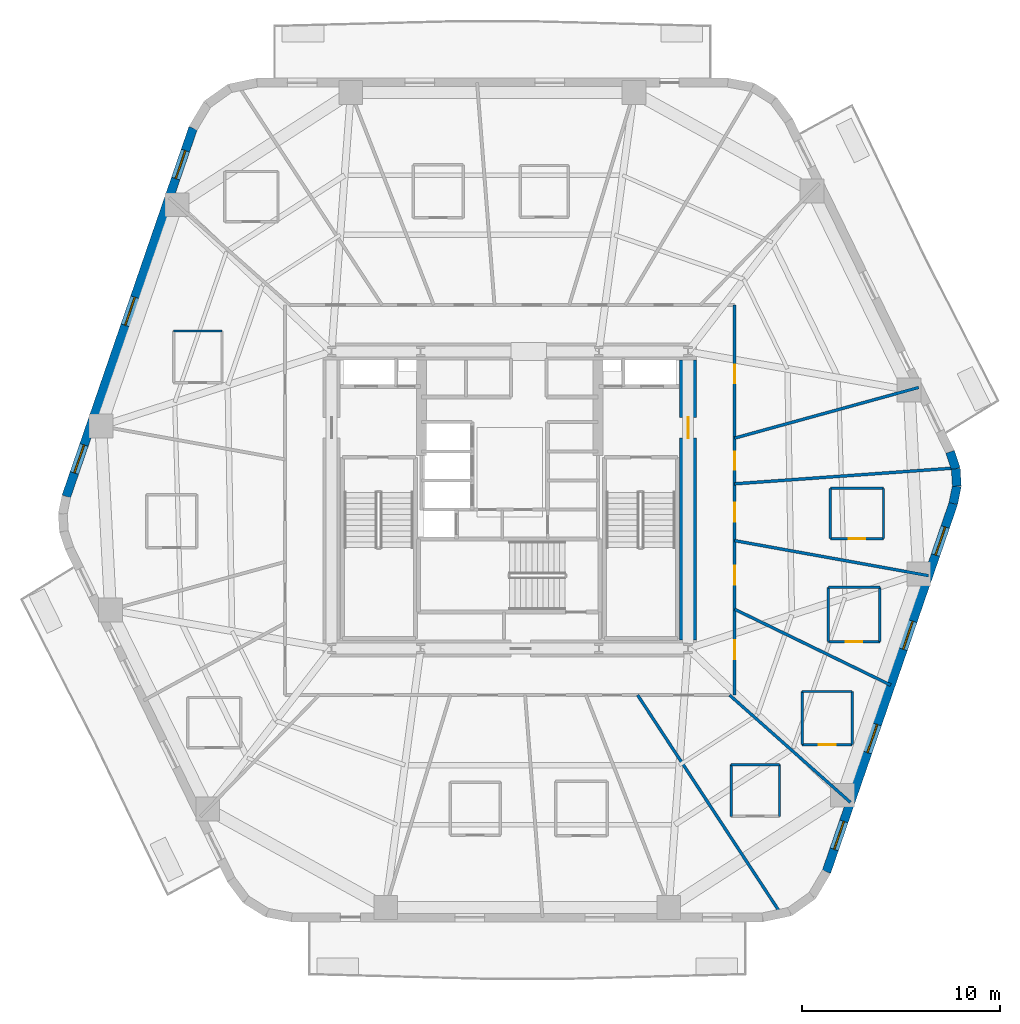
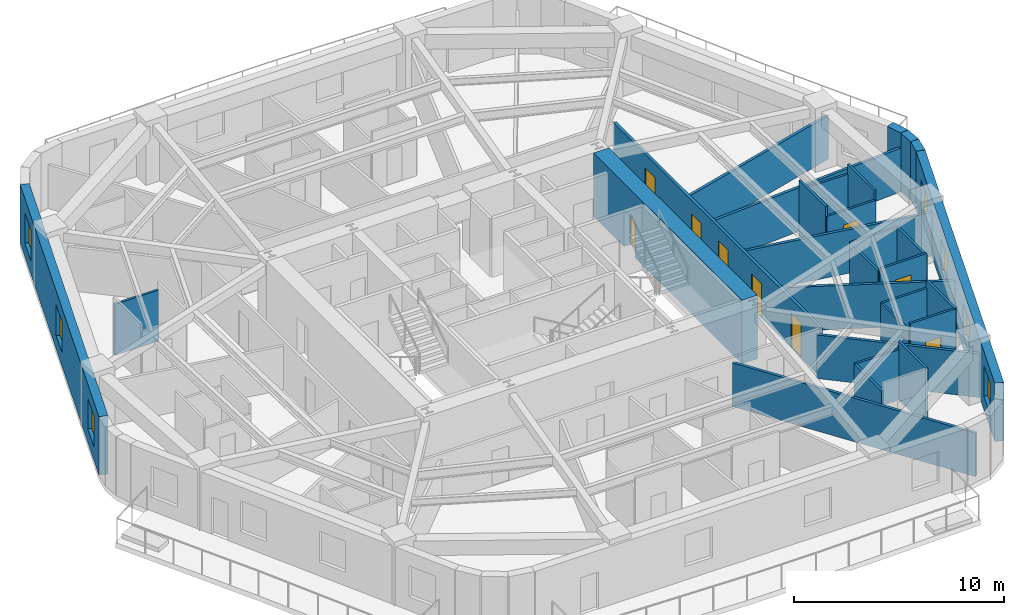
# One storey, part 5 of 10: 29 walls, 9 doors, 7 windows, 16 openings.
"""IFC4 building model written with IfcOpenShell, lengths in metres."""

from ifc_helpers import new_model, si_unit, direction, frame, frame_2d, origin, place, context, subcontext, project, spatial, rectangle, extrude, material, layer, layer_set, type_object, element, fill, save


model = new_model("IFC4")

# Units and contexts
model_context = context("Model", 3, precision=1e-05, world=origin(), true_north=direction((0.0, 1.0)))
body_context = subcontext(model_context, "Body", "Model", "MODEL_VIEW")
ifc_project = project(units=[si_unit("LENGTHUNIT", "METRE"), si_unit("AREAUNIT", "SQUARE_METRE"), si_unit("VOLUMEUNIT", "CUBIC_METRE"), si_unit("PLANEANGLEUNIT", "RADIAN"), si_unit("MASSUNIT", "GRAM", prefix="KILO")], contexts=[model_context])

# Site, building, storey
site_placement = place(None, origin())
site = spatial("IfcSite", under=ifc_project, at=site_placement, CompositionType="ELEMENT")
building_placement = place(site_placement, origin())
building = spatial("IfcBuilding", under=site, at=building_placement, Name="Kilnhurst Terrace Hotel", CompositionType="ELEMENT")
storey_placement = place(building_placement, frame((0.0, 0.0, 98.800048828125)))
storey = spatial("IfcBuildingStorey", under=building, at=storey_placement, Name="L23", CompositionType="ELEMENT", Elevation=98.800048828125)

# Walls
ifc_material_1 = material(Name="Precast concrete C40/50", Category="concrete")
ifc_layer_1 = layer(ifc_material_1, 0.449951171875, Name="Precast concrete C40/50")
ifc_layer_set_1 = layer_set([ifc_layer_1], Name="Precast concrete C40/50")
wall_type_1 = type_object("IfcWallType", Name="WL-BRK-450", PredefinedType="SOLIDWALL", material=ifc_layer_set_1)
wall_1_placement = place(storey_placement, frame((22.39697265625, -0.17919921875, 0.0), z_axis=(0.0, 0.0, 1.0), x_axis=(0.199313589404, 0.979935759669, 0.0)))
element("IfcWall", 1, at=wall_1_placement, inside=storey, type_object=wall_type_1, Name="L23 Rounded Corner Brick Wall C3.1", PredefinedType="SOLIDWALL", context=body_context, shape_type="SweptSolid", body=[
    extrude(rectangle(XDim=0.8955078125, YDim=0.449951171875, at=frame_2d((0.44775390625, 0.0))), origin(), (0.0, 0.0, 1.0), 3.39990234375),
])
wall_2_placement = place(storey_placement, frame((22.575439453125, 0.6982421875, 0.0), z_axis=(0.0, 0.0, 1.0), x_axis=(-0.060980441946, 0.998138961117, 0.0)))
element("IfcWall", 2, at=wall_2_placement, inside=storey, type_object=wall_type_1, Name="L23 Rounded Corner Brick Wall C3.2", PredefinedType="SOLIDWALL", context=body_context, shape_type="SweptSolid", body=[
    extrude(rectangle(XDim=0.880859375, YDim=0.449951171875, at=frame_2d((0.4404296875, 0.0))), origin(), (0.0, 0.0, 1.0), 3.39990234375),
])
wall_3_placement = place(storey_placement, frame((22.521728515625, 1.577392578125, 0.0), z_axis=(0.0, 0.0, 1.0), x_axis=(-0.317372694837, 0.948300887151, 0.0)))
element("IfcWall", 3, at=wall_3_placement, inside=storey, type_object=wall_type_1, Name="L23 Rounded Corner Brick Wall C3.3", PredefinedType="SOLIDWALL", context=body_context, shape_type="SweptSolid", body=[
    extrude(rectangle(XDim=0.8955078125, YDim=0.449951171875, at=frame_2d((0.44775390625, 0.0))), origin(), (0.0, 0.0, 1.0), 3.39990234375),
])

# Wall, openings, windows
wall_4_placement = place(storey_placement, frame((15.992431640625, -18.77685546875, 0.0), z_axis=(0.0, 0.0, 1.0), x_axis=(0.325606988926, 0.945505202927, 0.0)))
wall_4 = element("IfcWall", 4, at=wall_4_placement, inside=storey, type_object=wall_type_1, Name="L23 Exterior Brick Facade Wall F2", PredefinedType="SOLIDWALL", context=body_context, shape_type="SweptSolid", body=[
    extrude(rectangle(XDim=19.66943359375, YDim=0.449951171875, at=frame_2d((9.834716796875, 0.0))), origin(), (0.0, 0.0, 1.0), 3.39990234375),
])
opening_1_placement = place(wall_4_placement, frame((1.197021484375, 0.0, 0.800048828125)))
opening_1 = element("IfcOpeningElement", 5, at=opening_1_placement, cuts=wall_4, Name="Opening W-02", PredefinedType="OPENING", context=body_context, shape_type="SweptSolid", body=[
    extrude(rectangle(XDim=1.5, YDim=1.800048828125, at=frame_2d((0.75, 0.89990234375))), frame((0.0, 0.23486328125, 0.0), z_axis=(0.0, -1.0, 0.0), x_axis=(1.0, 0.0, 0.0)), (0.0, 0.0, 1.0), 0.469970703125),
])
opening_2_placement = place(wall_4_placement, frame((6.367919921875, 0.0, 0.800048828125)))
opening_2 = element("IfcOpeningElement", 6, at=opening_2_placement, cuts=wall_4, Name="Opening W-02", PredefinedType="OPENING", context=body_context, shape_type="SweptSolid", body=[
    extrude(rectangle(XDim=1.5, YDim=1.800048828125, at=frame_2d((0.75, 0.89990234375))), frame((0.0, 0.23486328125, 0.0), z_axis=(0.0, -1.0, 0.0), x_axis=(1.0, 0.0, 0.0)), (0.0, 0.0, 1.0), 0.469970703125),
])
opening_3_placement = place(wall_4_placement, frame((11.885009765625, 0.0, 0.800048828125)))
opening_3 = element("IfcOpeningElement", 7, at=opening_3_placement, cuts=wall_4, Name="Opening W-02", PredefinedType="OPENING", context=body_context, shape_type="SweptSolid", body=[
    extrude(rectangle(XDim=1.5, YDim=1.800048828125, at=frame_2d((0.75, 0.89990234375))), frame((0.0, 0.23486328125, 0.0), z_axis=(0.0, -1.0, 0.0), x_axis=(1.0, 0.0, 0.0)), (0.0, 0.0, 1.0), 0.469970703125),
])
opening_4_placement = place(wall_4_placement, frame((16.91796875, 0.0, 0.800048828125)))
opening_4 = element("IfcOpeningElement", 8, at=opening_4_placement, cuts=wall_4, Name="Opening W-02", PredefinedType="OPENING", context=body_context, shape_type="SweptSolid", body=[
    extrude(rectangle(XDim=1.5, YDim=1.800048828125, at=frame_2d((0.75, 0.89990234375))), frame((0.0, 0.23486328125, 0.0), z_axis=(0.0, -1.0, 0.0), x_axis=(1.0, 0.0, 0.0)), (0.0, 0.0, 1.0), 0.469970703125),
])
ifc_material_2 = material(Name="Thermally Broken Bronze Aluminium Alloy 6063-T6 and Low-E Glass", Category="aluminium")
window_type = type_object("IfcWindowType", Name="WIN-1500X1800", PartitioningType="SINGLE_PANEL", PredefinedType="WINDOW", material=ifc_material_2)
window_1_placement = place(opening_1_placement, origin())
window_1 = element("IfcWindow", 9, at=window_1_placement, inside=storey, type_object=window_type, Name="L23 Deep-Set Masonry Window F2.1", OverallHeight=1.800048828125, OverallWidth=1.5, PartitioningType="SINGLE_PANEL", PredefinedType="WINDOW", context=body_context, shape_type="SweptSolid", body=[
    extrude(rectangle(XDim=1.5, YDim=1.800048828125, at=frame_2d((0.75, 0.89990234375))), frame((0.0, 0.030029296875, 0.0), z_axis=(0.0, -1.0, 0.0), x_axis=(1.0, 0.0, 0.0)), (0.0, 0.0, 1.0), 0.06005859375),
])
fill(opening_1, window_1)
window_2_placement = place(opening_2_placement, origin())
window_2 = element("IfcWindow", 10, at=window_2_placement, inside=storey, type_object=window_type, Name="L23 Deep-Set Masonry Window F2.2", OverallHeight=1.800048828125, OverallWidth=1.5, PartitioningType="SINGLE_PANEL", PredefinedType="WINDOW", context=body_context, shape_type="SweptSolid", body=[
    extrude(rectangle(XDim=1.5, YDim=1.800048828125, at=frame_2d((0.75, 0.89990234375))), frame((0.0, 0.030029296875, 0.0), z_axis=(0.0, -1.0, 0.0), x_axis=(1.0, 0.0, 0.0)), (0.0, 0.0, 1.0), 0.06005859375),
])
fill(opening_2, window_2)
window_3_placement = place(opening_3_placement, origin())
window_3 = element("IfcWindow", 11, at=window_3_placement, inside=storey, type_object=window_type, Name="L23 Deep-Set Masonry Window F2.3", OverallHeight=1.800048828125, OverallWidth=1.5, PartitioningType="SINGLE_PANEL", PredefinedType="WINDOW", context=body_context, shape_type="SweptSolid", body=[
    extrude(rectangle(XDim=1.5, YDim=1.800048828125, at=frame_2d((0.75, 0.89990234375))), frame((0.0, 0.030029296875, 0.0), z_axis=(0.0, -1.0, 0.0), x_axis=(1.0, 0.0, 0.0)), (0.0, 0.0, 1.0), 0.06005859375),
])
fill(opening_3, window_3)
window_4_placement = place(opening_4_placement, origin())
window_4 = element("IfcWindow", 12, at=window_4_placement, inside=storey, type_object=window_type, Name="L23 Deep-Set Masonry Window F2.4", OverallHeight=1.800048828125, OverallWidth=1.5, PartitioningType="SINGLE_PANEL", PredefinedType="WINDOW", context=body_context, shape_type="SweptSolid", body=[
    extrude(rectangle(XDim=1.5, YDim=1.800048828125, at=frame_2d((0.75, 0.89990234375))), frame((0.0, 0.030029296875, 0.0), z_axis=(0.0, -1.0, 0.0), x_axis=(1.0, 0.0, 0.0)), (0.0, 0.0, 1.0), 0.06005859375),
])
fill(opening_4, window_4)

wall_5_placement = place(storey_placement, frame((-15.992431640625, 18.77685546875, 0.0), z_axis=(0.0, 0.0, 1.0), x_axis=(-0.325606988926, -0.945505202927, 0.0)))
wall_5 = element("IfcWall", 13, at=wall_5_placement, inside=storey, type_object=wall_type_1, Name="L23 Exterior Brick Facade Wall F5", PredefinedType="SOLIDWALL", context=body_context, shape_type="SweptSolid", body=[
    extrude(rectangle(XDim=19.66943359375, YDim=0.449951171875, at=frame_2d((9.834716796875, 0.0))), origin(), (0.0, 0.0, 1.0), 3.39990234375),
])
opening_5_placement = place(wall_5_placement, frame((1.197021484375, 0.0, 0.800048828125)))
opening_5 = element("IfcOpeningElement", 14, at=opening_5_placement, cuts=wall_5, Name="Opening W-02", PredefinedType="OPENING", context=body_context, shape_type="SweptSolid", body=[
    extrude(rectangle(XDim=1.5, YDim=1.800048828125, at=frame_2d((0.75, 0.89990234375))), frame((0.0, 0.23486328125, 0.0), z_axis=(0.0, -1.0, 0.0), x_axis=(1.0, 0.0, 0.0)), (0.0, 0.0, 1.0), 0.469970703125),
])
opening_6_placement = place(wall_5_placement, frame((9.030029296875, 0.0, 0.800048828125)))
opening_6 = element("IfcOpeningElement", 15, at=opening_6_placement, cuts=wall_5, Name="Opening W-02", PredefinedType="OPENING", context=body_context, shape_type="SweptSolid", body=[
    extrude(rectangle(XDim=1.5, YDim=1.800048828125, at=frame_2d((0.75, 0.89990234375))), frame((0.0, 0.23486328125, 0.0), z_axis=(0.0, -1.0, 0.0), x_axis=(1.0, 0.0, 0.0)), (0.0, 0.0, 1.0), 0.469970703125),
])
opening_7_placement = place(wall_5_placement, frame((16.91796875, 0.0, 0.800048828125)))
opening_7 = element("IfcOpeningElement", 16, at=opening_7_placement, cuts=wall_5, Name="Opening W-02", PredefinedType="OPENING", context=body_context, shape_type="SweptSolid", body=[
    extrude(rectangle(XDim=1.5, YDim=1.800048828125, at=frame_2d((0.75, 0.89990234375))), frame((0.0, 0.23486328125, 0.0), z_axis=(0.0, -1.0, 0.0), x_axis=(1.0, 0.0, 0.0)), (0.0, 0.0, 1.0), 0.469970703125),
])
window_5_placement = place(opening_5_placement, origin())
window_5 = element("IfcWindow", 17, at=window_5_placement, inside=storey, type_object=window_type, Name="L23 Deep-Set Masonry Window F5.1", OverallHeight=1.800048828125, OverallWidth=1.5, PartitioningType="SINGLE_PANEL", PredefinedType="WINDOW", context=body_context, shape_type="SweptSolid", body=[
    extrude(rectangle(XDim=1.5, YDim=1.800048828125, at=frame_2d((0.75, 0.89990234375))), frame((0.0, 0.030029296875, 0.0), z_axis=(0.0, -1.0, 0.0), x_axis=(1.0, 0.0, 0.0)), (0.0, 0.0, 1.0), 0.06005859375),
])
fill(opening_5, window_5)
window_6_placement = place(opening_6_placement, origin())
window_6 = element("IfcWindow", 18, at=window_6_placement, inside=storey, type_object=window_type, Name="L23 Deep-Set Masonry Window F5.2", OverallHeight=1.800048828125, OverallWidth=1.5, PartitioningType="SINGLE_PANEL", PredefinedType="WINDOW", context=body_context, shape_type="SweptSolid", body=[
    extrude(rectangle(XDim=1.5, YDim=1.800048828125, at=frame_2d((0.75, 0.89990234375))), frame((0.0, 0.030029296875, 0.0), z_axis=(0.0, -1.0, 0.0), x_axis=(1.0, 0.0, 0.0)), (0.0, 0.0, 1.0), 0.06005859375),
])
fill(opening_6, window_6)
window_7_placement = place(opening_7_placement, origin())
window_7 = element("IfcWindow", 19, at=window_7_placement, inside=storey, type_object=window_type, Name="L23 Deep-Set Masonry Window F5.3", OverallHeight=1.800048828125, OverallWidth=1.5, PartitioningType="SINGLE_PANEL", PredefinedType="WINDOW", context=body_context, shape_type="SweptSolid", body=[
    extrude(rectangle(XDim=1.5, YDim=1.800048828125, at=frame_2d((0.75, 0.89990234375))), frame((0.0, 0.030029296875, 0.0), z_axis=(0.0, -1.0, 0.0), x_axis=(1.0, 0.0, 0.0)), (0.0, 0.0, 1.0), 0.06005859375),
])
fill(opening_7, window_7)

# Wall, openings, doors
ifc_material_3 = material(Name="Acoustic Double-Gypsum Corridor Partition Assembly")
ifc_layer_2 = layer(ifc_material_3, 0.14990234375, Name="Acoustic Double-Gypsum Corridor Partition Assembly")
ifc_layer_set_2 = layer_set([ifc_layer_2], Name="Acoustic Double-Gypsum Corridor Partition Assembly")
wall_type_2 = type_object("IfcWallType", Name="WL-COR-150", PredefinedType="PARTITIONING", material=ifc_layer_set_2)
wall_6_placement = place(storey_placement, frame((11.35009765625, 9.85009765625, 0.0), z_axis=(0.0, 0.0, 1.0), x_axis=(0.0, -1.0, 0.0)))
wall_6 = element("IfcWall", 20, at=wall_6_placement, inside=storey, type_object=wall_type_2, Name="L23 Interior Wall WL-L23-COR-03", PredefinedType="PARTITIONING", context=body_context, shape_type="SweptSolid", body=[
    extrude(rectangle(XDim=19.7001953125, YDim=0.14990234375, at=frame_2d((9.85009765625, 0.0))), origin(), (0.0, 0.0, 1.0), 2.83984375),
])
opening_8_placement = place(wall_6_placement, frame((7.426025390625, 0.0, 0.0)))
opening_8 = element("IfcOpeningElement", 21, at=opening_8_placement, cuts=wall_6, Name="Opening D-60C", PredefinedType="OPENING", context=body_context, shape_type="SweptSolid", body=[
    extrude(rectangle(XDim=0.89990234375, YDim=2.030029296875, at=frame_2d((0.449951171875, 1.01513671875))), frame((0.0, 0.0849609375, 0.0), z_axis=(0.0, -1.0, 0.0), x_axis=(1.0, 0.0, 0.0)), (0.0, 0.0, 1.0), 0.169921875),
])
opening_9_placement = place(wall_6_placement, frame((3.008056640625, 0.0, 0.0)))
opening_9 = element("IfcOpeningElement", 22, at=opening_9_placement, cuts=wall_6, Name="Opening D-60B", PredefinedType="OPENING", context=body_context, shape_type="SweptSolid", body=[
    extrude(rectangle(XDim=0.949951171875, YDim=2.030029296875, at=frame_2d((0.47509765625, 1.01513671875))), frame((0.0, 0.0849609375, 0.0), z_axis=(0.0, -1.0, 0.0), x_axis=(1.0, 0.0, 0.0)), (0.0, 0.0, 1.0), 0.169921875),
])
opening_10_placement = place(wall_6_placement, frame((16.93798828125, 0.0, 0.0)))
opening_10 = element("IfcOpeningElement", 23, at=opening_10_placement, cuts=wall_6, Name="Opening D-60B", PredefinedType="OPENING", context=body_context, shape_type="SweptSolid", body=[
    extrude(rectangle(XDim=0.949951171875, YDim=2.030029296875, at=frame_2d((0.47509765625, 1.01513671875))), frame((0.0, 0.0849609375, 0.0), z_axis=(0.0, -1.0, 0.0), x_axis=(1.0, 0.0, 0.0)), (0.0, 0.0, 1.0), 0.169921875),
])
opening_11_placement = place(wall_6_placement, frame((13.1708984375, 0.0, 0.0)))
opening_11 = element("IfcOpeningElement", 24, at=opening_11_placement, cuts=wall_6, Name="Opening D-60B", PredefinedType="OPENING", context=body_context, shape_type="SweptSolid", body=[
    extrude(rectangle(XDim=0.949951171875, YDim=2.030029296875, at=frame_2d((0.47509765625, 1.01513671875))), frame((0.0, 0.0849609375, 0.0), z_axis=(0.0, -1.0, 0.0), x_axis=(1.0, 0.0, 0.0)), (0.0, 0.0, 1.0), 0.169921875),
])
opening_12_placement = place(wall_6_placement, frame((9.993896484375, 0.0, 0.0)))
opening_12 = element("IfcOpeningElement", 25, at=opening_12_placement, cuts=wall_6, Name="Opening D-60B", PredefinedType="OPENING", context=body_context, shape_type="SweptSolid", body=[
    extrude(rectangle(XDim=0.949951171875, YDim=2.030029296875, at=frame_2d((0.47509765625, 1.01513671875))), frame((0.0, 0.0849609375, 0.0), z_axis=(0.0, -1.0, 0.0), x_axis=(1.0, 0.0, 0.0)), (0.0, 0.0, 1.0), 0.169921875),
])
ifc_material_4 = material(Name="Painted Solid-Core Service Fire Door")
door_type_1 = type_object("IfcDoorType", Name="DR-FD60-900", OperationType="NOTDEFINED", PredefinedType="DOOR", material=ifc_material_4)
door_1_placement = place(opening_8_placement, origin())
door_1 = element("IfcDoor", 26, at=door_1_placement, inside=storey, type_object=door_type_1, Name="L23 Private Study Salon Door 1", OperationType="SINGLE_SWING_LEFT", OverallHeight=2.030029296875, OverallWidth=0.89990234375, PredefinedType="DOOR", context=body_context, shape_type="SweptSolid", body=[
    extrude(rectangle(XDim=0.89990234375, YDim=2.030029296875, at=frame_2d((0.449951171875, 1.01513671875))), frame((0.0, 0.02490234375, 0.0), z_axis=(0.0, -1.0, 0.0), x_axis=(1.0, 0.0, 0.0)), (0.0, 0.0, 1.0), 0.050048828125),
])
fill(opening_8, door_1)
ifc_material_5 = material(Name="Acoustic Walnut Veneer Solid-Core Fire Door")
door_type_2 = type_object("IfcDoorType", Name="DR-FD60-950", OperationType="NOTDEFINED", PredefinedType="DOOR", material=ifc_material_5)
door_2_placement = place(opening_9_placement, origin())
door_2 = element("IfcDoor", 27, at=door_2_placement, inside=storey, type_object=door_type_2, Name="L23 Botanical Salon Lounge Door", OperationType="SINGLE_SWING_RIGHT", OverallHeight=2.030029296875, OverallWidth=0.949951171875, PredefinedType="DOOR", context=body_context, shape_type="SweptSolid", body=[
    extrude(rectangle(XDim=0.949951171875, YDim=2.030029296875, at=frame_2d((0.47509765625, 1.01513671875))), frame((0.0, 0.02490234375, 0.0), z_axis=(0.0, -1.0, 0.0), x_axis=(1.0, 0.0, 0.0)), (0.0, 0.0, 1.0), 0.050048828125),
])
fill(opening_9, door_2)
door_3_placement = place(opening_10_placement, origin())
door_3 = element("IfcDoor", 28, at=door_3_placement, inside=storey, type_object=door_type_2, Name="L23 Guest Room Entry Door 18", OperationType="SINGLE_SWING_RIGHT", OverallHeight=2.030029296875, OverallWidth=0.949951171875, PredefinedType="DOOR", context=body_context, shape_type="SweptSolid", body=[
    extrude(rectangle(XDim=0.949951171875, YDim=2.030029296875, at=frame_2d((0.47509765625, 1.01513671875))), frame((0.0, 0.02490234375, 0.0), z_axis=(0.0, -1.0, 0.0), x_axis=(1.0, 0.0, 0.0)), (0.0, 0.0, 1.0), 0.050048828125),
])
fill(opening_10, door_3)
door_4_placement = place(opening_11_placement, origin())
door_4 = element("IfcDoor", 29, at=door_4_placement, inside=storey, type_object=door_type_2, Name="L23 Guest Room Entry Door 19", OperationType="SINGLE_SWING_LEFT", OverallHeight=2.030029296875, OverallWidth=0.949951171875, PredefinedType="DOOR", context=body_context, shape_type="SweptSolid", body=[
    extrude(rectangle(XDim=0.949951171875, YDim=2.030029296875, at=frame_2d((0.47509765625, 1.01513671875))), frame((0.0, 0.02490234375, 0.0), z_axis=(0.0, -1.0, 0.0), x_axis=(1.0, 0.0, 0.0)), (0.0, 0.0, 1.0), 0.050048828125),
])
fill(opening_11, door_4)
door_5_placement = place(opening_12_placement, origin())
door_5 = element("IfcDoor", 30, at=door_5_placement, inside=storey, type_object=door_type_2, Name="L23 Guest Room Entry Door 20", OperationType="SINGLE_SWING_RIGHT", OverallHeight=2.030029296875, OverallWidth=0.949951171875, PredefinedType="DOOR", context=body_context, shape_type="SweptSolid", body=[
    extrude(rectangle(XDim=0.949951171875, YDim=2.030029296875, at=frame_2d((0.47509765625, 1.01513671875))), frame((0.0, 0.02490234375, 0.0), z_axis=(0.0, -1.0, 0.0), x_axis=(1.0, 0.0, 0.0)), (0.0, 0.0, 1.0), 0.050048828125),
])
fill(opening_12, door_5)

# Wall, opening, door
ifc_material_6 = material(Name="Concrete C80/95", Category="concrete")
ifc_layer_3 = layer(ifc_material_6, 0.85009765625, Name="Concrete C80/95")
ifc_layer_set_3 = layer_set([ifc_layer_3], Name="Concrete C80/95")
wall_type_3 = type_object("IfcWallType", Name="WL-CORE-850", PredefinedType="SHEAR", material=ifc_layer_set_3)
wall_7_placement = place(storey_placement, frame((9.0, -7.074951171875, 0.0), z_axis=(0.0, 0.0, 1.0), x_axis=(0.0, 1.0, 0.0)))
wall_7 = element("IfcWall", 31, at=wall_7_placement, inside=storey, type_object=wall_type_3, Name="L23 Core East Shear Wall", PredefinedType="SHEAR", context=body_context, shape_type="SweptSolid", body=[
    extrude(rectangle(XDim=14.14990234375, YDim=0.85009765625, at=frame_2d((7.074951171875, 0.0))), origin(), (0.0, 0.0, 1.0), 3.699951171875),
])
opening_13_placement = place(wall_7_placement, frame((10.199951171875, 0.0, 0.0)))
opening_13 = element("IfcOpeningElement", 32, at=opening_13_placement, cuts=wall_7, Name="Opening D-90A", PredefinedType="OPENING", context=body_context, shape_type="SweptSolid", body=[
    extrude(rectangle(XDim=1.050048828125, YDim=2.14990234375, at=frame_2d((0.52490234375, 1.074951171875))), frame((0.0, 0.43505859375, 0.0), z_axis=(0.0, -1.0, 0.0), x_axis=(1.0, 0.0, 0.0)), (0.0, 0.0, 1.0), 0.8701171875),
])
ifc_material_7 = material(Name="Painted Hollow Metal Steel ASTM A36 Fire Door", Category="steel")
door_type_3 = type_object("IfcDoorType", Name="DR-FD90-1050", OperationType="NOTDEFINED", PredefinedType="DOOR", material=ifc_material_7)
door_6_placement = place(opening_13_placement, origin())
door_6 = element("IfcDoor", 33, at=door_6_placement, inside=storey, type_object=door_type_3, Name="L23 East Firefighting Lobby Door", OperationType="SINGLE_SWING_LEFT", OverallHeight=2.14990234375, OverallWidth=1.050048828125, PredefinedType="DOOR", context=body_context, shape_type="SweptSolid", body=[
    extrude(rectangle(XDim=1.050048828125, YDim=2.14990234375, at=frame_2d((0.52490234375, 1.074951171875))), frame((0.0, 0.02490234375, 0.0), z_axis=(0.0, -1.0, 0.0), x_axis=(1.0, 0.0, 0.0)), (0.0, 0.0, 1.0), 0.050048828125),
])
fill(opening_13, door_6)

# Walls
ifc_material_8 = material(Name="STC-58 Acoustic Twin-Frame Guestroom Demising Partition")
ifc_layer_4 = layer(ifc_material_8, 0.14990234375, Name="STC-58 Acoustic Twin-Frame Guestroom Demising Partition")
ifc_layer_set_4 = layer_set([ifc_layer_4], Name="STC-58 Acoustic Twin-Frame Guestroom Demising Partition")
wall_type_4 = type_object("IfcWallType", Name="WL-DEM-150", PredefinedType="PARTITIONING", material=ifc_layer_set_4)
wall_8_placement = place(storey_placement, frame((11.35009765625, 0.815673828125, 0.0), z_axis=(0.0, 0.0, 1.0), x_axis=(0.997427684746, 0.071679939324, 0.0)))
element("IfcWall", 34, at=wall_8_placement, inside=storey, type_object=wall_type_4, Name="L23 Interior Wall WL-L23-DEM-MID12-01-1", PredefinedType="PARTITIONING", context=body_context, shape_type="SweptSolid", body=[
    extrude(rectangle(XDim=11.021728515625, YDim=0.14990234375, at=frame_2d((5.5107421875, 0.0))), origin(), (0.0, 0.0, 1.0), 2.5400390625),
])
wall_9_placement = place(storey_placement, frame((11.35009765625, 3.123291015625, 0.0), z_axis=(0.0, 0.0, 1.0), x_axis=(0.964151983214, 0.265350623261, 0.0)))
element("IfcWall", 35, at=wall_9_placement, inside=storey, type_object=wall_type_4, Name="L23 Interior Wall WL-L23-DEM-COL01-02-1", PredefinedType="PARTITIONING", context=body_context, shape_type="SweptSolid", body=[
    extrude(rectangle(XDim=9.64501953125, YDim=0.14990234375, at=frame_2d((4.822509765625, 0.0))), origin(), (0.0, 0.0, 1.0), 2.5400390625),
])
wall_10_placement = place(storey_placement, frame((6.453857421875, -9.85009765625, 0.0), z_axis=(0.0, 0.0, 1.0), x_axis=(0.548052950111, -0.836443640584, 0.0)))
element("IfcWall", 36, at=wall_10_placement, inside=storey, type_object=wall_type_4, Name="L23 Interior Wall WL-L23-DEM-MID10-17-1", PredefinedType="PARTITIONING", context=body_context, shape_type="SweptSolid", body=[
    extrude(rectangle(XDim=13.019287109375, YDim=0.14990234375, at=frame_2d((6.509765625, 0.0))), origin(), (0.0, 0.0, 1.0), 2.5400390625),
])
wall_11_placement = place(storey_placement, frame((11.097900390625, -9.85009765625, 0.0), z_axis=(0.0, 0.0, 1.0), x_axis=(0.747904295103, -0.663806572253, 0.0)))
element("IfcWall", 37, at=wall_11_placement, inside=storey, type_object=wall_type_4, Name="L23 Interior Wall WL-L23-DEM-COL11-18-1", PredefinedType="PARTITIONING", context=body_context, shape_type="SweptSolid", body=[
    extrude(rectangle(XDim=8.160400390625, YDim=0.14990234375, at=frame_2d((4.080078125, 0.0))), origin(), (0.0, 0.0, 1.0), 2.5400390625),
])
wall_12_placement = place(storey_placement, frame((11.35009765625, -5.51513671875, 0.0), z_axis=(0.0, 0.0, 1.0), x_axis=(0.899424695618, -0.437075756492, 0.0)))
element("IfcWall", 38, at=wall_12_placement, inside=storey, type_object=wall_type_4, Name="L23 Interior Wall WL-L23-DEM-MID11-19-1", PredefinedType="PARTITIONING", context=body_context, shape_type="SweptSolid", body=[
    extrude(rectangle(XDim=8.771240234375, YDim=0.14990234375, at=frame_2d((4.3857421875, 0.0))), origin(), (0.0, 0.0, 1.0), 2.5400390625),
])
wall_13_placement = place(storey_placement, frame((11.35009765625, -2.05078125, 0.0), z_axis=(0.0, 0.0, 1.0), x_axis=(0.984068313063, -0.177790762484, 0.0)))
element("IfcWall", 39, at=wall_13_placement, inside=storey, type_object=wall_type_4, Name="L23 Interior Wall WL-L23-DEM-COL12-20-1", PredefinedType="PARTITIONING", context=body_context, shape_type="SweptSolid", body=[
    extrude(rectangle(XDim=9.951416015625, YDim=0.14990234375, at=frame_2d((4.9755859375, 0.0))), origin(), (0.0, 0.0, 1.0), 2.5400390625),
])
ifc_material_9 = material(Name="120 mm Moisture-Resistant Tile-Backed Bathroom Partition")
ifc_layer_5 = layer(ifc_material_9, 0.1201171875, Name="120 mm Moisture-Resistant Tile-Backed Bathroom Partition")
ifc_layer_set_5 = layer_set([ifc_layer_5], Name="120 mm Moisture-Resistant Tile-Backed Bathroom Partition")
wall_type_5 = type_object("IfcWallType", Name="WL-PART-120", PredefinedType="PARTITIONING", material=ifc_layer_set_5)
wall_14_placement = place(storey_placement, frame((-14.533935546875, 8.534912109375, 0.0), z_axis=(0.0, 0.0, 1.0), x_axis=(-1.0, 0.0, 0.0)))
element("IfcWall", 40, at=wall_14_placement, inside=storey, type_object=wall_type_5, Name="L23 Interior Wall WL-L23-BTH-09-3", PredefinedType="PARTITIONING", context=body_context, shape_type="SweptSolid", body=[
    extrude(rectangle(XDim=2.440185546875, YDim=0.1201171875, at=frame_2d((1.22021484375, 0.0))), origin(), (0.0, 0.0, 1.0), 2.97216796875),
])
wall_15_placement = place(storey_placement, frame((13.617919921875, -15.97412109375, 0.0), z_axis=(0.0, 0.0, 1.0), x_axis=(0.0, 1.0, 0.0)))
element("IfcWall", 41, at=wall_15_placement, inside=storey, type_object=wall_type_5, Name="L23 Interior Wall WL-L23-BTH-17-2", PredefinedType="PARTITIONING", context=body_context, shape_type="SweptSolid", body=[
    extrude(rectangle(XDim=2.610107421875, YDim=0.1201171875, at=frame_2d((1.30517578125, 0.0))), origin(), (0.0, 0.0, 1.0), 3.39990234375),
])
wall_16_placement = place(storey_placement, frame((13.617919921875, -13.364013671875, 0.0), z_axis=(0.0, 0.0, 1.0), x_axis=(-1.0, 0.0, 0.0)))
element("IfcWall", 42, at=wall_16_placement, inside=storey, type_object=wall_type_5, Name="L23 Interior Wall WL-L23-BTH-17-3", PredefinedType="PARTITIONING", context=body_context, shape_type="SweptSolid", body=[
    extrude(rectangle(XDim=2.43994140625, YDim=0.1201171875, at=frame_2d((1.219970703125, 0.0))), origin(), (0.0, 0.0, 1.0), 2.926513671875),
])
wall_17_placement = place(storey_placement, frame((11.177978515625, -13.364013671875, 0.0), z_axis=(0.0, 0.0, 1.0), x_axis=(0.0, -1.0, 0.0)))
element("IfcWall", 43, at=wall_17_placement, inside=storey, type_object=wall_type_5, Name="L23 Interior Wall WL-L23-BTH-17-4", PredefinedType="PARTITIONING", context=body_context, shape_type="SweptSolid", body=[
    extrude(rectangle(XDim=2.610107421875, YDim=0.1201171875, at=frame_2d((1.30517578125, 0.0))), origin(), (0.0, 0.0, 1.0), 2.926513671875),
])

# Wall, opening, door
wall_18_placement = place(storey_placement, frame((14.76708984375, -12.35205078125, 0.0), z_axis=(0.0, 0.0, 1.0), x_axis=(1.0, 0.0, 0.0)))
wall_18 = element("IfcWall", 44, at=wall_18_placement, inside=storey, type_object=wall_type_5, Name="L23 Interior Wall WL-L23-BTH-18-1", PredefinedType="PARTITIONING", context=body_context, shape_type="SweptSolid", body=[
    extrude(rectangle(XDim=2.52001953125, YDim=0.1201171875, at=frame_2d((1.260009765625, 0.0))), origin(), (0.0, 0.0, 1.0), 3.39990234375),
])
opening_14_placement = place(wall_18_placement, frame((0.8349609375, 0.0, 0.0)))
opening_14 = element("IfcOpeningElement", 45, at=opening_14_placement, cuts=wall_18, Name="Opening D-08A", PredefinedType="OPENING", context=body_context, shape_type="SweptSolid", body=[
    extrude(rectangle(XDim=0.85009765625, YDim=2.030029296875, at=frame_2d((0.425048828125, 1.01513671875))), frame((0.0, 0.070068359375, 0.0), z_axis=(0.0, -1.0, 0.0), x_axis=(1.0, 0.0, 0.0)), (0.0, 0.0, 1.0), 0.14013671875),
])
ifc_material_10 = material(Name="Moisture-Resistant Lacquered En-suite Bathroom Door")
door_type_4 = type_object("IfcDoorType", Name="DR-INT-850", OperationType="NOTDEFINED", PredefinedType="DOOR", material=ifc_material_10)
door_7_placement = place(opening_14_placement, origin())
door_7 = element("IfcDoor", 46, at=door_7_placement, inside=storey, type_object=door_type_4, Name="L23 En-suite Bathroom Door 18", OperationType="SINGLE_SWING_LEFT", OverallHeight=2.030029296875, OverallWidth=0.85009765625, PredefinedType="DOOR", context=body_context, shape_type="SweptSolid", body=[
    extrude(rectangle(XDim=0.85009765625, YDim=2.030029296875, at=frame_2d((0.425048828125, 1.01513671875))), frame((0.0, 0.02490234375, 0.0), z_axis=(0.0, -1.0, 0.0), x_axis=(1.0, 0.0, 0.0)), (0.0, 0.0, 1.0), 0.050048828125),
])
fill(opening_14, door_7)

# Walls
wall_19_placement = place(storey_placement, frame((17.287109375, -12.35205078125, 0.0), z_axis=(0.0, 0.0, 1.0), x_axis=(0.0, 1.0, 0.0)))
element("IfcWall", 47, at=wall_19_placement, inside=storey, type_object=wall_type_5, Name="L23 Interior Wall WL-L23-BTH-18-2", PredefinedType="PARTITIONING", context=body_context, shape_type="SweptSolid", body=[
    extrude(rectangle(XDim=2.679931640625, YDim=0.1201171875, at=frame_2d((1.33984375, 0.0))), origin(), (0.0, 0.0, 1.0), 3.39990234375),
])
wall_20_placement = place(storey_placement, frame((17.287109375, -9.672119140625, 0.0), z_axis=(0.0, 0.0, 1.0), x_axis=(-1.0, 0.0, 0.0)))
element("IfcWall", 48, at=wall_20_placement, inside=storey, type_object=wall_type_5, Name="L23 Interior Wall WL-L23-BTH-18-3", PredefinedType="PARTITIONING", context=body_context, shape_type="SweptSolid", body=[
    extrude(rectangle(XDim=2.52001953125, YDim=0.1201171875, at=frame_2d((1.260009765625, 0.0))), origin(), (0.0, 0.0, 1.0), 2.97216796875),
])
wall_21_placement = place(storey_placement, frame((14.76708984375, -9.672119140625, 0.0), z_axis=(0.0, 0.0, 1.0), x_axis=(0.0, -1.0, 0.0)))
element("IfcWall", 49, at=wall_21_placement, inside=storey, type_object=wall_type_5, Name="L23 Interior Wall WL-L23-BTH-18-4", PredefinedType="PARTITIONING", context=body_context, shape_type="SweptSolid", body=[
    extrude(rectangle(XDim=2.679931640625, YDim=0.1201171875, at=frame_2d((1.33984375, 0.0))), origin(), (0.0, 0.0, 1.0), 2.97216796875),
])

# Wall, opening, door
wall_22_placement = place(storey_placement, frame((16.0869140625, -7.157958984375, 0.0), z_axis=(0.0, 0.0, 1.0), x_axis=(1.0, 0.0, 0.0)))
wall_22 = element("IfcWall", 50, at=wall_22_placement, inside=storey, type_object=wall_type_5, Name="L23 Interior Wall WL-L23-BTH-19-1", PredefinedType="PARTITIONING", context=body_context, shape_type="SweptSolid", body=[
    extrude(rectangle(XDim=2.60009765625, YDim=0.1201171875, at=frame_2d((1.300048828125, 0.0))), origin(), (0.0, 0.0, 1.0), 2.97216796875),
])
opening_15_placement = place(wall_22_placement, frame((0.875, 0.0, 0.0)))
opening_15 = element("IfcOpeningElement", 51, at=opening_15_placement, cuts=wall_22, Name="Opening D-08A", PredefinedType="OPENING", context=body_context, shape_type="SweptSolid", body=[
    extrude(rectangle(XDim=0.85009765625, YDim=2.030029296875, at=frame_2d((0.425048828125, 1.01513671875))), frame((0.0, 0.070068359375, 0.0), z_axis=(0.0, -1.0, 0.0), x_axis=(1.0, 0.0, 0.0)), (0.0, 0.0, 1.0), 0.14013671875),
])
door_8_placement = place(opening_15_placement, origin())
door_8 = element("IfcDoor", 52, at=door_8_placement, inside=storey, type_object=door_type_4, Name="L23 En-suite Bathroom Door 19", OperationType="SINGLE_SWING_RIGHT", OverallHeight=2.030029296875, OverallWidth=0.85009765625, PredefinedType="DOOR", context=body_context, shape_type="SweptSolid", body=[
    extrude(rectangle(XDim=0.85009765625, YDim=2.030029296875, at=frame_2d((0.425048828125, 1.01513671875))), frame((0.0, 0.02490234375, 0.0), z_axis=(0.0, -1.0, 0.0), x_axis=(1.0, 0.0, 0.0)), (0.0, 0.0, 1.0), 0.050048828125),
])
fill(opening_15, door_8)

# Walls
wall_23_placement = place(storey_placement, frame((18.68701171875, -7.157958984375, 0.0), z_axis=(0.0, 0.0, 1.0), x_axis=(0.0, 1.0, 0.0)))
element("IfcWall", 53, at=wall_23_placement, inside=storey, type_object=wall_type_5, Name="L23 Interior Wall WL-L23-BTH-19-2", PredefinedType="PARTITIONING", context=body_context, shape_type="SweptSolid", body=[
    extrude(rectangle(XDim=2.75, YDim=0.1201171875, at=frame_2d((1.375, 0.0))), origin(), (0.0, 0.0, 1.0), 2.83984375),
])
wall_24_placement = place(storey_placement, frame((18.68701171875, -4.407958984375, 0.0), z_axis=(0.0, 0.0, 1.0), x_axis=(-1.0, 0.0, 0.0)))
element("IfcWall", 54, at=wall_24_placement, inside=storey, type_object=wall_type_5, Name="L23 Interior Wall WL-L23-BTH-19-3", PredefinedType="PARTITIONING", context=body_context, shape_type="SweptSolid", body=[
    extrude(rectangle(XDim=2.60009765625, YDim=0.1201171875, at=frame_2d((1.300048828125, 0.0))), origin(), (0.0, 0.0, 1.0), 2.83984375),
])
wall_25_placement = place(storey_placement, frame((16.0869140625, -4.407958984375, 0.0), z_axis=(0.0, 0.0, 1.0), x_axis=(0.0, -1.0, 0.0)))
element("IfcWall", 55, at=wall_25_placement, inside=storey, type_object=wall_type_5, Name="L23 Interior Wall WL-L23-BTH-19-4", PredefinedType="PARTITIONING", context=body_context, shape_type="SweptSolid", body=[
    extrude(rectangle(XDim=2.75, YDim=0.1201171875, at=frame_2d((1.375, 0.0))), origin(), (0.0, 0.0, 1.0), 2.83984375),
])

# Wall, opening, door
wall_26_placement = place(storey_placement, frame((16.19189453125, -1.950927734375, 0.0), z_axis=(0.0, 0.0, 1.0), x_axis=(1.0, 0.0, 0.0)))
wall_26 = element("IfcWall", 56, at=wall_26_placement, inside=storey, type_object=wall_type_5, Name="L23 Interior Wall WL-L23-BTH-20-1", PredefinedType="PARTITIONING", context=body_context, shape_type="SweptSolid", body=[
    extrude(rectangle(XDim=2.68017578125, YDim=0.1201171875, at=frame_2d((1.340087890625, 0.0))), origin(), (0.0, 0.0, 1.0), 2.84033203125),
])
opening_16_placement = place(wall_26_placement, frame((0.9150390625, 0.0, 0.0)))
opening_16 = element("IfcOpeningElement", 57, at=opening_16_placement, cuts=wall_26, Name="Opening D-08A", PredefinedType="OPENING", context=body_context, shape_type="SweptSolid", body=[
    extrude(rectangle(XDim=0.85009765625, YDim=2.030029296875, at=frame_2d((0.425048828125, 1.01513671875))), frame((0.0, 0.070068359375, 0.0), z_axis=(0.0, -1.0, 0.0), x_axis=(1.0, 0.0, 0.0)), (0.0, 0.0, 1.0), 0.14013671875),
])
door_9_placement = place(opening_16_placement, origin())
door_9 = element("IfcDoor", 58, at=door_9_placement, inside=storey, type_object=door_type_4, Name="L23 En-suite Bathroom Door 20", OperationType="SINGLE_SWING_LEFT", OverallHeight=2.030029296875, OverallWidth=0.85009765625, PredefinedType="DOOR", context=body_context, shape_type="SweptSolid", body=[
    extrude(rectangle(XDim=0.85009765625, YDim=2.030029296875, at=frame_2d((0.425048828125, 1.01513671875))), frame((0.0, 0.02490234375, 0.0), z_axis=(0.0, -1.0, 0.0), x_axis=(1.0, 0.0, 0.0)), (0.0, 0.0, 1.0), 0.050048828125),
])
fill(opening_16, door_9)

# Walls
wall_27_placement = place(storey_placement, frame((18.8720703125, -1.950927734375, 0.0), z_axis=(0.0, 0.0, 1.0), x_axis=(0.0, 1.0, 0.0)))
element("IfcWall", 59, at=wall_27_placement, inside=storey, type_object=wall_type_5, Name="L23 Interior Wall WL-L23-BTH-20-2", PredefinedType="PARTITIONING", context=body_context, shape_type="SweptSolid", body=[
    extrude(rectangle(XDim=2.5400390625, YDim=0.1201171875, at=frame_2d((1.27001953125, 0.0))), origin(), (0.0, 0.0, 1.0), 3.39990234375),
])
wall_28_placement = place(storey_placement, frame((18.8720703125, 0.589111328125, 0.0), z_axis=(0.0, 0.0, 1.0), x_axis=(-1.0, 0.0, 0.0)))
element("IfcWall", 60, at=wall_28_placement, inside=storey, type_object=wall_type_5, Name="L23 Interior Wall WL-L23-BTH-20-3", PredefinedType="PARTITIONING", context=body_context, shape_type="SweptSolid", body=[
    extrude(rectangle(XDim=2.68017578125, YDim=0.1201171875, at=frame_2d((1.340087890625, 0.0))), origin(), (0.0, 0.0, 1.0), 2.84033203125),
])
wall_29_placement = place(storey_placement, frame((16.19189453125, 0.589111328125, 0.0), z_axis=(0.0, 0.0, 1.0), x_axis=(0.0, -1.0, 0.0)))
element("IfcWall", 61, at=wall_29_placement, inside=storey, type_object=wall_type_5, Name="L23 Interior Wall WL-L23-BTH-20-4", PredefinedType="PARTITIONING", context=body_context, shape_type="SweptSolid", body=[
    extrude(rectangle(XDim=2.5400390625, YDim=0.1201171875, at=frame_2d((1.27001953125, 0.0))), origin(), (0.0, 0.0, 1.0), 3.39990234375),
])

save(model, "model.ifc")
